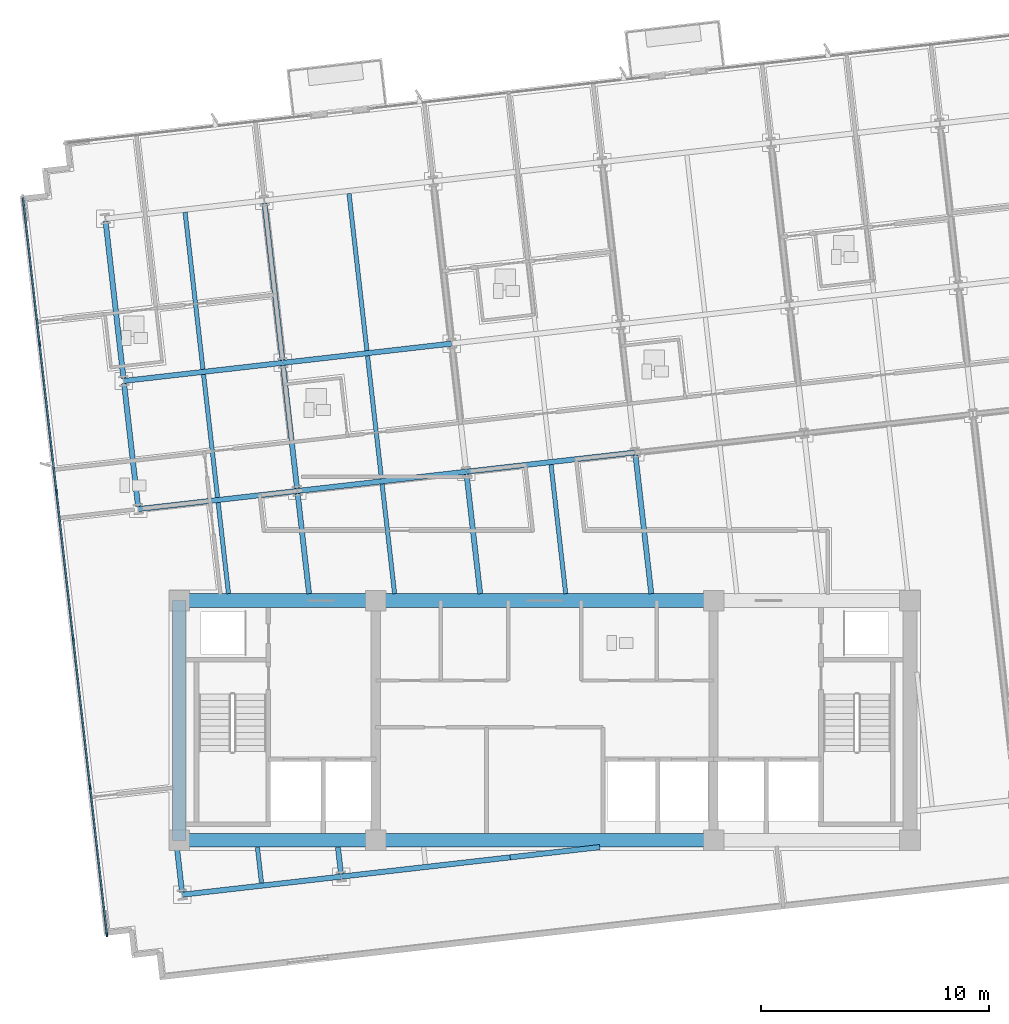
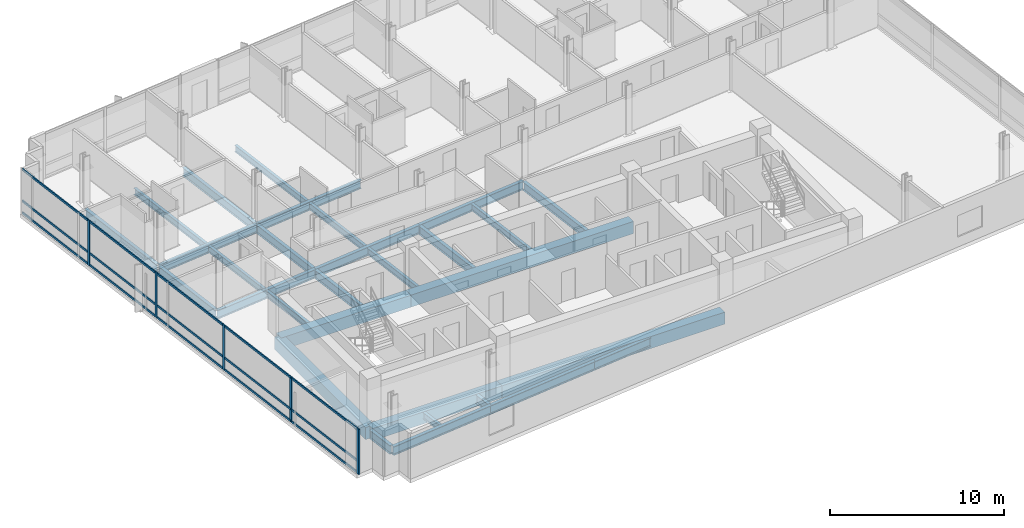
# One storey, part 2 of 17: 30 beams, 20 members, 1 element without a shape of its own.
"""IFC4 building model written with IfcOpenShell, lengths in metres."""

from ifc_helpers import new_model, si_unit, direction, frame, origin, origin_2d, place, context, subcontext, project, spatial, rectangle, i_section, extrude, material, material_profile, profile_set, type_object, element, aggregate, save


model = new_model("IFC4")

# Units and contexts
model_context = context("Model", 3, precision=1e-05, world=origin(), true_north=direction((0.0, 1.0)))
body_context = subcontext(model_context, "Body", "Model", "MODEL_VIEW")
ifc_project = project(units=[si_unit("LENGTHUNIT", "METRE"), si_unit("AREAUNIT", "SQUARE_METRE"), si_unit("VOLUMEUNIT", "CUBIC_METRE"), si_unit("PLANEANGLEUNIT", "RADIAN"), si_unit("MASSUNIT", "GRAM", prefix="KILO")], contexts=[model_context])

# Site, building, storey
site_placement = place(None, origin())
site = spatial("IfcSite", under=ifc_project, at=site_placement, CompositionType="ELEMENT")
building_placement = place(site_placement, origin())
building = spatial("IfcBuilding", under=site, at=building_placement, Name="Solmavex Isthmus Hotel", CompositionType="ELEMENT")
storey_placement = place(building_placement, frame((0.0, 0.0, 202.050048828125)))
storey = spatial("IfcBuildingStorey", under=building, at=storey_placement, Name="L54", CompositionType="ELEMENT", Elevation=202.050048828125)

# Beams
ifc_material_1 = material(Name="Steel ASTM A992 Grade 50", Category="steel")
ifc_material_profile_1 = material_profile(ifc_material_1, i_section(OverallWidth=0.1904296875, OverallDepth=0.456787109375, WebThickness=0.009033203125, FlangeThickness=0.014404296875, FilletRadius=0.0126953125, at=origin_2d()), Name="W18X50")
ifc_profile_set_1 = profile_set([ifc_material_profile_1], Name="Steel ASTM A992 Grade 50")
beam_type_1 = type_object("IfcBeamType", Name="BM-BJ-W18X50", PredefinedType="JOIST", material=ifc_profile_set_1)
beam_1_placement = place(storey_placement, frame((-12.404052734375, -14.872314453125, -0.488525390625), z_axis=(-0.113242002738, 0.993567435465, 0.0), x_axis=(-0.993567435465, -0.113242002738, 0.0)))
element("IfcBeam", 1, at=beam_1_placement, inside=storey, type_object=beam_type_1, Name="Secondary Floor Joist L54-J01", PredefinedType="JOIST", context=body_context, shape_type="SweptSolid", body=[
    extrude(i_section(OverallWidth=0.1904296875, OverallDepth=0.456787109375, WebThickness=0.009033203125, FlangeThickness=0.014404296875, FilletRadius=0.0126953125, at=origin_2d()), origin(), (0.0, 0.0, 1.0), 1.58251953125),
])
beam_2_placement = place(storey_placement, frame((-13.847900390625, -2.199951171875, -0.488525390625), z_axis=(-0.113179724577, 0.993574531651, 0.0), x_axis=(-0.993574531651, -0.113179724577, 0.0)))
element("IfcBeam", 2, at=beam_2_placement, inside=storey, type_object=beam_type_1, Name="Secondary Floor Joist L54-J02", PredefinedType="JOIST", context=body_context, shape_type="SweptSolid", body=[
    extrude(i_section(OverallWidth=0.1904296875, OverallDepth=0.456787109375, WebThickness=0.009033203125, FlangeThickness=0.014404296875, FilletRadius=0.0126953125, at=origin_2d()), origin(), (0.0, 0.0, 1.0), 4.0166015625),
])
beam_3_placement = place(storey_placement, frame((-14.328369140625, 2.01708984375, -0.488525390625), z_axis=(-0.113189626161, 0.993573403695, 0.0), x_axis=(-0.993573403695, -0.113189626161, 0.0)))
element("IfcBeam", 3, at=beam_3_placement, inside=storey, type_object=beam_type_1, Name="Secondary Floor Joist L54-J03", PredefinedType="JOIST", context=body_context, shape_type="SweptSolid", body=[
    extrude(i_section(OverallWidth=0.1904296875, OverallDepth=0.456787109375, WebThickness=0.009033203125, FlangeThickness=0.014404296875, FilletRadius=0.0126953125, at=origin_2d()), origin(), (0.0, 0.0, 1.0), 5.42041015625),
])
beam_4_placement = place(storey_placement, frame((-14.9677734375, 7.62890625, -0.488525390625), z_axis=(-0.113202453846, 0.993571942258, 0.0), x_axis=(-0.993571942258, -0.113202453846, 0.0)))
element("IfcBeam", 4, at=beam_4_placement, inside=storey, type_object=beam_type_1, Name="Secondary Floor Joist L54-J04", PredefinedType="JOIST", context=body_context, shape_type="SweptSolid", body=[
    extrude(i_section(OverallWidth=0.1904296875, OverallDepth=0.456787109375, WebThickness=0.009033203125, FlangeThickness=0.014404296875, FilletRadius=0.0126953125, at=origin_2d()), origin(), (0.0, 0.0, 1.0), 6.9228515625),
])
beam_5_placement = place(storey_placement, frame((-6.57421875, -2.199951171875, -0.488525390625), z_axis=(-0.113193768539, 0.993572931779, 0.0), x_axis=(-0.993572931779, -0.113193768539, 0.0)))
element("IfcBeam", 5, at=beam_5_placement, inside=storey, type_object=beam_type_1, Name="Secondary Floor Joist L54-J06", PredefinedType="JOIST", context=body_context, shape_type="SweptSolid", body=[
    extrude(i_section(OverallWidth=0.1904296875, OverallDepth=0.456787109375, WebThickness=0.009033203125, FlangeThickness=0.014404296875, FilletRadius=0.0126953125, at=origin_2d()), origin(), (0.0, 0.0, 1.0), 4.83984375),
])
beam_6_placement = place(storey_placement, frame((-7.14794921875, 2.835205078125, -0.488525390625), z_axis=(-0.113189626161, 0.993573403695, 0.0), x_axis=(-0.993573403695, -0.113189626161, 0.0)))
element("IfcBeam", 6, at=beam_6_placement, inside=storey, type_object=beam_type_1, Name="Secondary Floor Joist L54-J07", PredefinedType="JOIST", context=body_context, shape_type="SweptSolid", body=[
    extrude(i_section(OverallWidth=0.1904296875, OverallDepth=0.456787109375, WebThickness=0.009033203125, FlangeThickness=0.014404296875, FilletRadius=0.0126953125, at=origin_2d()), origin(), (0.0, 0.0, 1.0), 5.42041015625),
])
beam_7_placement = place(storey_placement, frame((-7.787109375, 8.447021484375, -0.488525390625), z_axis=(-0.113202453846, 0.993571942258, 0.0), x_axis=(-0.993571942258, -0.113202453846, 0.0)))
element("IfcBeam", 7, at=beam_7_placement, inside=storey, type_object=beam_type_1, Name="Secondary Floor Joist L54-J08", PredefinedType="JOIST", context=body_context, shape_type="SweptSolid", body=[
    extrude(i_section(OverallWidth=0.1904296875, OverallDepth=0.456787109375, WebThickness=0.009033203125, FlangeThickness=0.014404296875, FilletRadius=0.0126953125, at=origin_2d()), origin(), (0.0, 0.0, 1.0), 6.9228515625),
])
beam_8_placement = place(storey_placement, frame((0.920166015625, -2.199951171875, -0.488525390625), z_axis=(-0.113219765873, 0.993569969663, 0.0), x_axis=(-0.993569969663, -0.113219765873, 0.0)))
element("IfcBeam", 8, at=beam_8_placement, inside=storey, type_object=beam_type_1, Name="Secondary Floor Joist L54-J09", PredefinedType="JOIST", context=body_context, shape_type="SweptSolid", body=[
    extrude(i_section(OverallWidth=0.1904296875, OverallDepth=0.456787109375, WebThickness=0.009033203125, FlangeThickness=0.014404296875, FilletRadius=0.0126953125, at=origin_2d()), origin(), (0.0, 0.0, 1.0), 5.6884765625),
])
ifc_material_profile_2 = material_profile(ifc_material_1, i_section(OverallWidth=0.227783203125, OverallDepth=0.602783203125, WebThickness=0.010498046875, FlangeThickness=0.014892578125, FilletRadius=0.01513671875, at=origin_2d()), Name="W24X68")
ifc_profile_set_2 = profile_set([ifc_material_profile_2], Name="Steel ASTM A992 Grade 50")
beam_type_2 = type_object("IfcBeamType", Name="BM-BM-W24X68", PredefinedType="BEAM", material=ifc_profile_set_2)
beam_9_placement = place(storey_placement, frame((-17.796875, 1.50732421875, -0.561279296875), z_axis=(0.993569675103, 0.113222350774, 0.0), x_axis=(-0.113222350774, 0.993569675103, 0.0)))
element("IfcBeam", 9, at=beam_9_placement, inside=storey, type_object=beam_type_2, Name="Floor Girder L54-UG06", PredefinedType="BEAM", context=body_context, shape_type="SweptSolid", body=[
    extrude(i_section(OverallWidth=0.227783203125, OverallDepth=0.602783203125, WebThickness=0.010498046875, FlangeThickness=0.014892578125, FilletRadius=0.01513671875, at=origin_2d()), origin(), (0.0, 0.0, 1.0), 7.008056640625),
])
beam_10_placement = place(storey_placement, frame((-10.833984375, 2.30078125, -0.561279296875), z_axis=(0.993574034044, 0.113184092846, 0.0), x_axis=(-0.113184092846, 0.993574034044, 0.0)))
element("IfcBeam", 10, at=beam_10_placement, inside=storey, type_object=beam_type_2, Name="Floor Girder L54-UG07", PredefinedType="BEAM", context=body_context, shape_type="SweptSolid", body=[
    extrude(i_section(OverallWidth=0.227783203125, OverallDepth=0.602783203125, WebThickness=0.010498046875, FlangeThickness=0.014892578125, FilletRadius=0.01513671875, at=origin_2d()), origin(), (0.0, 0.0, 1.0), 7.446044921875),
])
beam_11_placement = place(storey_placement, frame((-3.435791015625, 3.1435546875, -0.561279296875), z_axis=(0.993569926006, 0.113220148984, 0.0), x_axis=(-0.113220148984, 0.993569926006, 0.0)))
element("IfcBeam", 11, at=beam_11_placement, inside=storey, type_object=beam_type_2, Name="Floor Girder L54-UG08", PredefinedType="BEAM", context=body_context, shape_type="SweptSolid", body=[
    extrude(i_section(OverallWidth=0.227783203125, OverallDepth=0.602783203125, WebThickness=0.010498046875, FlangeThickness=0.014892578125, FilletRadius=0.01513671875, at=origin_2d()), origin(), (0.0, 0.0, 1.0), 7.44580078125),
])
beam_12_placement = place(storey_placement, frame((-18.436279296875, 7.119140625, -0.561279296875), z_axis=(0.99357359356, 0.113187959519, 0.0), x_axis=(-0.113187959519, 0.99357359356, 0.0)))
element("IfcBeam", 12, at=beam_12_placement, inside=storey, type_object=beam_type_2, Name="Floor Girder L54-UG12", PredefinedType="BEAM", context=body_context, shape_type="SweptSolid", body=[
    extrude(i_section(OverallWidth=0.227783203125, OverallDepth=0.602783203125, WebThickness=0.010498046875, FlangeThickness=0.014892578125, FilletRadius=0.01513671875, at=origin_2d()), origin(), (0.0, 0.0, 1.0), 7.0078125),
])
beam_13_placement = place(storey_placement, frame((-11.473388671875, 7.912353515625, -0.561279296875), z_axis=(0.9935703463, 0.113216460607, 0.0), x_axis=(-0.113216460607, 0.9935703463, 0.0)))
element("IfcBeam", 13, at=beam_13_placement, inside=storey, type_object=beam_type_2, Name="Floor Girder L54-UG13", PredefinedType="BEAM", context=body_context, shape_type="SweptSolid", body=[
    extrude(i_section(OverallWidth=0.227783203125, OverallDepth=0.602783203125, WebThickness=0.010498046875, FlangeThickness=0.014892578125, FilletRadius=0.01513671875, at=origin_2d()), origin(), (0.0, 0.0, 1.0), 7.446044921875),
])
beam_14_placement = place(storey_placement, frame((-8.922607421875, -14.4755859375, -0.561279296875), z_axis=(-0.113284703976, 0.993562567655, 0.0), x_axis=(-0.993562567655, -0.113284703976, 0.0)))
element("IfcBeam", 14, at=beam_14_placement, inside=storey, type_object=beam_type_2, Name="Floor Beam L54-VG27", PredefinedType="BEAM", context=body_context, shape_type="SweptSolid", body=[
    extrude(i_section(OverallWidth=0.227783203125, OverallDepth=0.602783203125, WebThickness=0.010498046875, FlangeThickness=0.014892578125, FilletRadius=0.01513671875, at=origin_2d()), origin(), (0.0, 0.0, 1.0), 1.18310546875),
])
beam_15_placement = place(storey_placement, frame((-10.3212890625, -2.199951171875, -0.561279296875), z_axis=(-0.113173914695, 0.993575193447, 0.0), x_axis=(-0.993575193447, -0.113173914695, 0.0)))
element("IfcBeam", 15, at=beam_15_placement, inside=storey, type_object=beam_type_2, Name="Floor Beam L54-VG28", PredefinedType="BEAM", context=body_context, shape_type="SweptSolid", body=[
    extrude(i_section(OverallWidth=0.227783203125, OverallDepth=0.602783203125, WebThickness=0.010498046875, FlangeThickness=0.014892578125, FilletRadius=0.01513671875, at=origin_2d()), origin(), (0.0, 0.0, 1.0), 4.415771484375),
])
beam_16_placement = place(storey_placement, frame((-10.846923828125, 2.413818359375, -0.561279296875), z_axis=(-0.113189626161, 0.993573403695, 0.0), x_axis=(-0.993573403695, -0.113189626161, 0.0)))
element("IfcBeam", 16, at=beam_16_placement, inside=storey, type_object=beam_type_2, Name="Floor Beam L54-VG29", PredefinedType="BEAM", context=body_context, shape_type="SweptSolid", body=[
    extrude(i_section(OverallWidth=0.227783203125, OverallDepth=0.602783203125, WebThickness=0.010498046875, FlangeThickness=0.014892578125, FilletRadius=0.01513671875, at=origin_2d()), origin(), (0.0, 0.0, 1.0), 5.42041015625),
])
beam_17_placement = place(storey_placement, frame((-11.486328125, 8.025634765625, -0.561279296875), z_axis=(-0.113202453846, 0.993571942258, 0.0), x_axis=(-0.993571942258, -0.113202453846, 0.0)))
element("IfcBeam", 17, at=beam_17_placement, inside=storey, type_object=beam_type_2, Name="Floor Beam L54-VG30", PredefinedType="BEAM", context=body_context, shape_type="SweptSolid", body=[
    extrude(i_section(OverallWidth=0.227783203125, OverallDepth=0.602783203125, WebThickness=0.010498046875, FlangeThickness=0.014892578125, FilletRadius=0.01513671875, at=origin_2d()), origin(), (0.0, 0.0, 1.0), 6.9228515625),
])
beam_18_placement = place(storey_placement, frame((-2.8271484375, -2.199951171875, -0.561279296875), z_axis=(-0.113159423971, 0.993576843916, 0.0), x_axis=(-0.993576843916, -0.113159423971, 0.0)))
element("IfcBeam", 18, at=beam_18_placement, inside=storey, type_object=beam_type_2, Name="Floor Beam L54-VG31", PredefinedType="BEAM", context=body_context, shape_type="SweptSolid", body=[
    extrude(i_section(OverallWidth=0.227783203125, OverallDepth=0.602783203125, WebThickness=0.010498046875, FlangeThickness=0.014892578125, FilletRadius=0.01513671875, at=origin_2d()), origin(), (0.0, 0.0, 1.0), 5.26416015625),
])
beam_19_placement = place(storey_placement, frame((4.667236328125, -2.199951171875, -0.561279296875), z_axis=(-0.113232304752, 0.993568540746, 0.0), x_axis=(-0.993568540746, -0.113232304752, 0.0)))
element("IfcBeam", 19, at=beam_19_placement, inside=storey, type_object=beam_type_2, Name="Floor Beam L54-VG34", PredefinedType="BEAM", context=body_context, shape_type="SweptSolid", body=[
    extrude(i_section(OverallWidth=0.227783203125, OverallDepth=0.602783203125, WebThickness=0.010498046875, FlangeThickness=0.014892578125, FilletRadius=0.01513671875, at=origin_2d()), origin(), (0.0, 0.0, 1.0), 6.112548828125),
])
ifc_material_2 = material(Name="Concrete C50/60", Category="concrete")
ifc_material_profile_3 = material_profile(ifc_material_2, rectangle(XDim=0.60009765625, YDim=0.85009765625, at=origin_2d()), Name="RC600X850")
ifc_profile_set_3 = profile_set([ifc_material_profile_3], Name="Concrete C50/60")
beam_type_3 = type_object("IfcBeamType", Name="BM-CB-600X850", PredefinedType="BEAM", material=ifc_profile_set_3)
beam_20_placement = place(storey_placement, frame((-16.0, -13.0, -0.68505859375), z_axis=(1.0, 0.0, 0.0), x_axis=(0.0, 1.0, 0.0)))
element("IfcBeam", 20, at=beam_20_placement, inside=storey, type_object=beam_type_3, Name="Core Coupling Beam L54-CB1", PredefinedType="BEAM", context=body_context, shape_type="SweptSolid", body=[
    extrude(rectangle(XDim=0.60009765625, YDim=0.85009765625, at=origin_2d()), origin(), (0.0, 0.0, 1.0), 8.60009765625),
])
beam_21_placement = place(storey_placement, frame((-7.39990234375, -13.0, -0.68505859375), z_axis=(1.0, 0.0, 0.0), x_axis=(0.0, 1.0, 0.0)))
element("IfcBeam", 21, at=beam_21_placement, inside=storey, type_object=beam_type_3, Name="Core Coupling Beam L54-CB2", PredefinedType="BEAM", context=body_context, shape_type="SweptSolid", body=[
    extrude(rectangle(XDim=0.60009765625, YDim=0.85009765625, at=origin_2d()), origin(), (0.0, 0.0, 1.0), 14.7998046875),
])
beam_22_placement = place(storey_placement, frame((-16.0, -2.5, -0.68505859375), z_axis=(1.0, 0.0, 0.0), x_axis=(0.0, 1.0, 0.0)))
element("IfcBeam", 22, at=beam_22_placement, inside=storey, type_object=beam_type_3, Name="Core Coupling Beam L54-CB4", PredefinedType="BEAM", context=body_context, shape_type="SweptSolid", body=[
    extrude(rectangle(XDim=0.60009765625, YDim=0.85009765625, at=origin_2d()), origin(), (0.0, 0.0, 1.0), 8.60009765625),
])
beam_23_placement = place(storey_placement, frame((-7.39990234375, -2.5, -0.68505859375), z_axis=(1.0, 0.0, 0.0), x_axis=(0.0, 1.0, 0.0)))
element("IfcBeam", 23, at=beam_23_placement, inside=storey, type_object=beam_type_3, Name="Core Coupling Beam L54-CB5", PredefinedType="BEAM", context=body_context, shape_type="SweptSolid", body=[
    extrude(rectangle(XDim=0.60009765625, YDim=0.85009765625, at=origin_2d()), origin(), (0.0, 0.0, 1.0), 14.7998046875),
])
beam_24_placement = place(storey_placement, frame((-16.0, -13.0, -0.68505859375), z_axis=(0.0, 1.0, 0.0), x_axis=(-1.0, 0.0, 0.0)))
element("IfcBeam", 24, at=beam_24_placement, inside=storey, type_object=beam_type_3, Name="Core Coupling Beam L54-CB7", PredefinedType="BEAM", context=body_context, shape_type="SweptSolid", body=[
    extrude(rectangle(XDim=0.60009765625, YDim=0.85009765625, at=origin_2d()), origin(), (0.0, 0.0, 1.0), 10.5),
])
ifc_material_profile_4 = material_profile(ifc_material_1, i_section(OverallWidth=0.230224609375, OverallDepth=0.617431640625, WebThickness=0.01318359375, FlangeThickness=0.022216796875, FilletRadius=0.01513671875, at=origin_2d()), Name="W24X94")
ifc_profile_set_4 = profile_set([ifc_material_profile_4], Name="Steel ASTM A992 Grade 50")
beam_type_4 = type_object("IfcBeamType", Name="BM-SP-W24X94", PredefinedType="SPANDREL", material=ifc_profile_set_4)
beam_25_placement = place(storey_placement, frame((-15.87255859375, -15.38330078125, -0.56884765625), z_axis=(0.993574039862, 0.113184041777, 0.0), x_axis=(-0.113184041777, 0.993574039862, 0.0)))
element("IfcBeam", 25, at=beam_25_placement, inside=storey, type_object=beam_type_4, Name="Floor Girder L54-UG01", PredefinedType="SPANDREL", context=body_context, shape_type="SweptSolid", body=[
    extrude(i_section(OverallWidth=0.230224609375, OverallDepth=0.617431640625, WebThickness=0.01318359375, FlangeThickness=0.022216796875, FilletRadius=0.01513671875, at=origin_2d()), origin(), (0.0, 0.0, 1.0), 7.008056640625),
])
beam_26_placement = place(storey_placement, frame((-8.909423828125, -14.590087890625, -0.56884765625), z_axis=(0.993569926006, 0.113220148984, 0.0), x_axis=(-0.113220148984, 0.993569926006, 0.0)))
element("IfcBeam", 26, at=beam_26_placement, inside=storey, type_object=beam_type_4, Name="Floor Girder L54-UG02", PredefinedType="SPANDREL", context=body_context, shape_type="SweptSolid", body=[
    extrude(i_section(OverallWidth=0.230224609375, OverallDepth=0.617431640625, WebThickness=0.01318359375, FlangeThickness=0.022216796875, FilletRadius=0.01513671875, at=origin_2d()), origin(), (0.0, 0.0, 1.0), 7.44580078125),
])
beam_27_placement = place(storey_placement, frame((-1.511474609375, -13.7470703125, -0.56884765625), z_axis=(0.993575434773, 0.113171796023, 0.0), x_axis=(-0.113171796023, 0.993575434773, 0.0)))
element("IfcBeam", 27, at=beam_27_placement, inside=storey, type_object=beam_type_4, Name="Floor Girder L54-UG03", PredefinedType="SPANDREL", context=body_context, shape_type="SweptSolid", body=[
    extrude(i_section(OverallWidth=0.230224609375, OverallDepth=0.617431640625, WebThickness=0.01318359375, FlangeThickness=0.022216796875, FilletRadius=0.01513671875, at=origin_2d()), origin(), (0.0, 0.0, 1.0), 3.949951171875),
])
beam_28_placement = place(storey_placement, frame((-15.885498046875, -15.268798828125, -0.56884765625), z_axis=(-0.113230368519, 0.993568761408, 0.0), x_axis=(-0.993568761408, -0.113230368519, 0.0)))
element("IfcBeam", 28, at=beam_28_placement, inside=storey, type_object=beam_type_4, Name="Floor Beam L54-VG24", PredefinedType="SPANDREL", context=body_context, shape_type="SweptSolid", body=[
    extrude(i_section(OverallWidth=0.230224609375, OverallDepth=0.617431640625, WebThickness=0.01318359375, FlangeThickness=0.022216796875, FilletRadius=0.01513671875, at=origin_2d()), origin(), (0.0, 0.0, 1.0), 1.9814453125),
])
beam_29_placement = place(storey_placement, frame((-17.809814453125, 1.62060546875, -0.56884765625), z_axis=(-0.113194691868, 0.993572826587, 0.0), x_axis=(-0.993572826587, -0.113194691868, 0.0)))
element("IfcBeam", 29, at=beam_29_placement, inside=storey, type_object=beam_type_4, Name="Floor Beam L54-VG25", PredefinedType="SPANDREL", context=body_context, shape_type="SweptSolid", body=[
    extrude(i_section(OverallWidth=0.230224609375, OverallDepth=0.617431640625, WebThickness=0.01318359375, FlangeThickness=0.022216796875, FilletRadius=0.01513671875, at=origin_2d()), origin(), (0.0, 0.0, 1.0), 5.420166015625),
])
beam_30_placement = place(storey_placement, frame((-18.44921875, 7.232177734375, -0.56884765625), z_axis=(-0.113202453846, 0.993571942258, 0.0), x_axis=(-0.993571942258, -0.113202453846, 0.0)))
element("IfcBeam", 30, at=beam_30_placement, inside=storey, type_object=beam_type_4, Name="Floor Beam L54-VG26", PredefinedType="SPANDREL", context=body_context, shape_type="SweptSolid", body=[
    extrude(i_section(OverallWidth=0.230224609375, OverallDepth=0.617431640625, WebThickness=0.01318359375, FlangeThickness=0.022216796875, FilletRadius=0.01513671875, at=origin_2d()), origin(), (0.0, 0.0, 1.0), 6.9228515625),
])

# Curtain wall, members
ifc_material_3 = material(Name="Aluminium alloy 6063-T6", Category="aluminium")
curtain_wall_type = type_object("IfcCurtainWallType", Name="CW-SYS-04", PredefinedType="NOTDEFINED", material=ifc_material_3)
curtain_wall_placement = place(storey_placement, origin())
curtain_wall = element("IfcCurtainWall", 31, at=curtain_wall_placement, inside=storey, type_object=curtain_wall_type, Name="Stick Curtain Wall CWL-L54-W1", PredefinedType="NOTDEFINED")
ifc_material_profile_5 = material_profile(ifc_material_3, rectangle(XDim=0.074951171875, YDim=0.199951171875, at=origin_2d()), Name="CWM-75X200")
ifc_profile_set_5 = profile_set([ifc_material_profile_5], Name="Aluminium alloy 6063-T6")
member_type_1 = type_object("IfcMemberType", Name="CW-SYS-04-MUL", PredefinedType="MULLION", material=ifc_profile_set_5)
member_1_placement = place(storey_placement, frame((-19.17578125, -17.131103515625, 0.0), z_axis=(0.0, 0.0, 1.0), x_axis=(-0.993571836648, -0.11320338078, 0.0)))
member_1 = element("IfcMember", 32, at=member_1_placement, type_object=member_type_1, Name="CW-04 mullion 1", PredefinedType="MULLION", context=body_context, shape_type="SweptSolid", body=[
    extrude(rectangle(XDim=0.074951171875, YDim=0.199951171875, at=origin_2d()), origin(), (0.0, 0.0, 1.0), 3.18994140625),
])
member_2_placement = place(storey_placement, frame((-19.90966796875, -10.690185546875, 0.0), z_axis=(0.0, 0.0, 1.0), x_axis=(-0.993571836648, -0.11320338078, 0.0)))
member_2 = element("IfcMember", 33, at=member_2_placement, type_object=member_type_1, Name="CW-04 mullion 2", PredefinedType="MULLION", context=body_context, shape_type="SweptSolid", body=[
    extrude(rectangle(XDim=0.074951171875, YDim=0.199951171875, at=origin_2d()), origin(), (0.0, 0.0, 1.0), 3.18994140625),
])
member_3_placement = place(storey_placement, frame((-20.647705078125, -4.212158203125, 0.0), z_axis=(0.0, 0.0, 1.0), x_axis=(-0.993571836648, -0.11320338078, 0.0)))
member_3 = element("IfcMember", 34, at=member_3_placement, type_object=member_type_1, Name="CW-04 mullion 3", PredefinedType="MULLION", context=body_context, shape_type="SweptSolid", body=[
    extrude(rectangle(XDim=0.074951171875, YDim=0.199951171875, at=origin_2d()), origin(), (0.0, 0.0, 1.0), 3.18994140625),
])
member_4_placement = place(storey_placement, frame((-21.385986328125, 2.265869140625, 0.0), z_axis=(0.0, 0.0, 1.0), x_axis=(-0.993571836648, -0.11320338078, 0.0)))
member_4 = element("IfcMember", 35, at=member_4_placement, type_object=member_type_1, Name="CW-04 mullion 4", PredefinedType="MULLION", context=body_context, shape_type="SweptSolid", body=[
    extrude(rectangle(XDim=0.074951171875, YDim=0.199951171875, at=origin_2d()), origin(), (0.0, 0.0, 1.0), 3.18994140625),
])
member_5_placement = place(storey_placement, frame((-22.1240234375, 8.744140625, 0.0), z_axis=(0.0, 0.0, 1.0), x_axis=(-0.993571836648, -0.11320338078, 0.0)))
member_5 = element("IfcMember", 36, at=member_5_placement, type_object=member_type_1, Name="CW-04 mullion 5", PredefinedType="MULLION", context=body_context, shape_type="SweptSolid", body=[
    extrude(rectangle(XDim=0.074951171875, YDim=0.199951171875, at=origin_2d()), origin(), (0.0, 0.0, 1.0), 3.18994140625),
])
ifc_material_profile_6 = material_profile(ifc_material_3, rectangle(XDim=0.074951171875, YDim=0.14990234375, at=origin_2d()), Name="CWT-75X150")
ifc_profile_set_6 = profile_set([ifc_material_profile_6], Name="Aluminium alloy 6063-T6")
member_type_2 = type_object("IfcMemberType", Name="CW-SYS-04-TRN", PredefinedType="USERDEFINED", material=ifc_profile_set_6)
member_6_placement = place(storey_placement, frame((-19.18017578125, -17.09375, 0.074951171875), z_axis=(-0.113203780919, 0.993571791058, 0.0), x_axis=(-0.993571791058, -0.113203780919, 0.0)))
member_6 = element("IfcMember", 37, at=member_6_placement, type_object=member_type_2, Name="CW-04 transom 1.1", ObjectType="TRANSOM", PredefinedType="USERDEFINED", context=body_context, shape_type="SweptSolid", body=[
    extrude(rectangle(XDim=0.074951171875, YDim=0.14990234375, at=origin_2d()), origin(), (0.0, 0.0, 1.0), 6.407470703125),
])
member_7_placement = place(storey_placement, frame((-19.18017578125, -17.09375, 0.89990234375), z_axis=(-0.113203780919, 0.993571791058, 0.0), x_axis=(-0.993571791058, -0.113203780919, 0.0)))
member_7 = element("IfcMember", 38, at=member_7_placement, type_object=member_type_2, Name="CW-04 transom 1.2", ObjectType="TRANSOM", PredefinedType="USERDEFINED", context=body_context, shape_type="SweptSolid", body=[
    extrude(rectangle(XDim=0.074951171875, YDim=0.14990234375, at=origin_2d()), origin(), (0.0, 0.0, 1.0), 6.407470703125),
])
member_8_placement = place(storey_placement, frame((-19.18017578125, -17.09375, 3.114990234375), z_axis=(-0.113203780919, 0.993571791058, 0.0), x_axis=(-0.993571791058, -0.113203780919, 0.0)))
member_8 = element("IfcMember", 39, at=member_8_placement, type_object=member_type_2, Name="CW-04 transom 1.3", ObjectType="TRANSOM", PredefinedType="USERDEFINED", context=body_context, shape_type="SweptSolid", body=[
    extrude(rectangle(XDim=0.074951171875, YDim=0.14990234375, at=origin_2d()), origin(), (0.0, 0.0, 1.0), 6.407470703125),
])
member_9_placement = place(storey_placement, frame((-19.9140625, -10.653076171875, 0.074951171875), z_axis=(-0.113187617296, 0.993573632546, 0.0), x_axis=(-0.993573632546, -0.113187617296, 0.0)))
member_9 = element("IfcMember", 40, at=member_9_placement, type_object=member_type_2, Name="CW-04 transom 2.1", ObjectType="TRANSOM", PredefinedType="USERDEFINED", context=body_context, shape_type="SweptSolid", body=[
    extrude(rectangle(XDim=0.074951171875, YDim=0.14990234375, at=origin_2d()), origin(), (0.0, 0.0, 1.0), 6.445068359375),
])
member_10_placement = place(storey_placement, frame((-19.9140625, -10.653076171875, 0.89990234375), z_axis=(-0.113187617296, 0.993573632546, 0.0), x_axis=(-0.993573632546, -0.113187617296, 0.0)))
member_10 = element("IfcMember", 41, at=member_10_placement, type_object=member_type_2, Name="CW-04 transom 2.2", ObjectType="TRANSOM", PredefinedType="USERDEFINED", context=body_context, shape_type="SweptSolid", body=[
    extrude(rectangle(XDim=0.074951171875, YDim=0.14990234375, at=origin_2d()), origin(), (0.0, 0.0, 1.0), 6.445068359375),
])
member_11_placement = place(storey_placement, frame((-19.9140625, -10.653076171875, 3.114990234375), z_axis=(-0.113187617296, 0.993573632546, 0.0), x_axis=(-0.993573632546, -0.113187617296, 0.0)))
member_11 = element("IfcMember", 42, at=member_11_placement, type_object=member_type_2, Name="CW-04 transom 2.3", ObjectType="TRANSOM", PredefinedType="USERDEFINED", context=body_context, shape_type="SweptSolid", body=[
    extrude(rectangle(XDim=0.074951171875, YDim=0.14990234375, at=origin_2d()), origin(), (0.0, 0.0, 1.0), 6.445068359375),
])
member_12_placement = place(storey_placement, frame((-20.652099609375, -4.1748046875, 0.074951171875), z_axis=(-0.113187617296, 0.993573632546, 0.0), x_axis=(-0.993573632546, -0.113187617296, 0.0)))
member_12 = element("IfcMember", 43, at=member_12_placement, type_object=member_type_2, Name="CW-04 transom 3.1", ObjectType="TRANSOM", PredefinedType="USERDEFINED", context=body_context, shape_type="SweptSolid", body=[
    extrude(rectangle(XDim=0.074951171875, YDim=0.14990234375, at=origin_2d()), origin(), (0.0, 0.0, 1.0), 6.445068359375),
])
member_13_placement = place(storey_placement, frame((-20.652099609375, -4.1748046875, 0.89990234375), z_axis=(-0.113187617296, 0.993573632546, 0.0), x_axis=(-0.993573632546, -0.113187617296, 0.0)))
member_13 = element("IfcMember", 44, at=member_13_placement, type_object=member_type_2, Name="CW-04 transom 3.2", ObjectType="TRANSOM", PredefinedType="USERDEFINED", context=body_context, shape_type="SweptSolid", body=[
    extrude(rectangle(XDim=0.074951171875, YDim=0.14990234375, at=origin_2d()), origin(), (0.0, 0.0, 1.0), 6.445068359375),
])
member_14_placement = place(storey_placement, frame((-20.652099609375, -4.1748046875, 3.114990234375), z_axis=(-0.113187617296, 0.993573632546, 0.0), x_axis=(-0.993573632546, -0.113187617296, 0.0)))
member_14 = element("IfcMember", 45, at=member_14_placement, type_object=member_type_2, Name="CW-04 transom 3.3", ObjectType="TRANSOM", PredefinedType="USERDEFINED", context=body_context, shape_type="SweptSolid", body=[
    extrude(rectangle(XDim=0.074951171875, YDim=0.14990234375, at=origin_2d()), origin(), (0.0, 0.0, 1.0), 6.445068359375),
])
member_15_placement = place(storey_placement, frame((-21.39013671875, 2.30322265625, 0.074951171875), z_axis=(-0.113187617296, 0.993573632546, 0.0), x_axis=(-0.993573632546, -0.113187617296, 0.0)))
member_15 = element("IfcMember", 46, at=member_15_placement, type_object=member_type_2, Name="CW-04 transom 4.1", ObjectType="TRANSOM", PredefinedType="USERDEFINED", context=body_context, shape_type="SweptSolid", body=[
    extrude(rectangle(XDim=0.074951171875, YDim=0.14990234375, at=origin_2d()), origin(), (0.0, 0.0, 1.0), 6.445068359375),
])
member_16_placement = place(storey_placement, frame((-21.39013671875, 2.30322265625, 0.89990234375), z_axis=(-0.113187617296, 0.993573632546, 0.0), x_axis=(-0.993573632546, -0.113187617296, 0.0)))
member_16 = element("IfcMember", 47, at=member_16_placement, type_object=member_type_2, Name="CW-04 transom 4.2", ObjectType="TRANSOM", PredefinedType="USERDEFINED", context=body_context, shape_type="SweptSolid", body=[
    extrude(rectangle(XDim=0.074951171875, YDim=0.14990234375, at=origin_2d()), origin(), (0.0, 0.0, 1.0), 6.445068359375),
])
member_17_placement = place(storey_placement, frame((-21.39013671875, 2.30322265625, 3.114990234375), z_axis=(-0.113187617296, 0.993573632546, 0.0), x_axis=(-0.993573632546, -0.113187617296, 0.0)))
member_17 = element("IfcMember", 48, at=member_17_placement, type_object=member_type_2, Name="CW-04 transom 4.3", ObjectType="TRANSOM", PredefinedType="USERDEFINED", context=body_context, shape_type="SweptSolid", body=[
    extrude(rectangle(XDim=0.074951171875, YDim=0.14990234375, at=origin_2d()), origin(), (0.0, 0.0, 1.0), 6.445068359375),
])
member_18_placement = place(storey_placement, frame((-22.128173828125, 8.78125, 0.074951171875), z_axis=(-0.113199495412, 0.993572279323, 0.0), x_axis=(-0.993572279323, -0.113199495412, 0.0)))
member_18 = element("IfcMember", 49, at=member_18_placement, type_object=member_type_2, Name="CW-04 transom 5.1", ObjectType="TRANSOM", PredefinedType="USERDEFINED", context=body_context, shape_type="SweptSolid", body=[
    extrude(rectangle(XDim=0.074951171875, YDim=0.14990234375, at=origin_2d()), origin(), (0.0, 0.0, 1.0), 6.40771484375),
])
member_19_placement = place(storey_placement, frame((-22.128173828125, 8.78125, 0.89990234375), z_axis=(-0.113199495412, 0.993572279323, 0.0), x_axis=(-0.993572279323, -0.113199495412, 0.0)))
member_19 = element("IfcMember", 50, at=member_19_placement, type_object=member_type_2, Name="CW-04 transom 5.2", ObjectType="TRANSOM", PredefinedType="USERDEFINED", context=body_context, shape_type="SweptSolid", body=[
    extrude(rectangle(XDim=0.074951171875, YDim=0.14990234375, at=origin_2d()), origin(), (0.0, 0.0, 1.0), 6.40771484375),
])
member_20_placement = place(storey_placement, frame((-22.128173828125, 8.78125, 3.114990234375), z_axis=(-0.113199495412, 0.993572279323, 0.0), x_axis=(-0.993572279323, -0.113199495412, 0.0)))
member_20 = element("IfcMember", 51, at=member_20_placement, type_object=member_type_2, Name="CW-04 transom 5.3", ObjectType="TRANSOM", PredefinedType="USERDEFINED", context=body_context, shape_type="SweptSolid", body=[
    extrude(rectangle(XDim=0.074951171875, YDim=0.14990234375, at=origin_2d()), origin(), (0.0, 0.0, 1.0), 6.40771484375),
])
aggregate(curtain_wall, [member_1, member_2, member_3, member_4, member_5, member_6, member_7, member_8, member_9, member_10, member_11, member_12, member_13, member_14, member_15, member_16, member_17, member_18, member_19, member_20])

save(model, "model.ifc")
